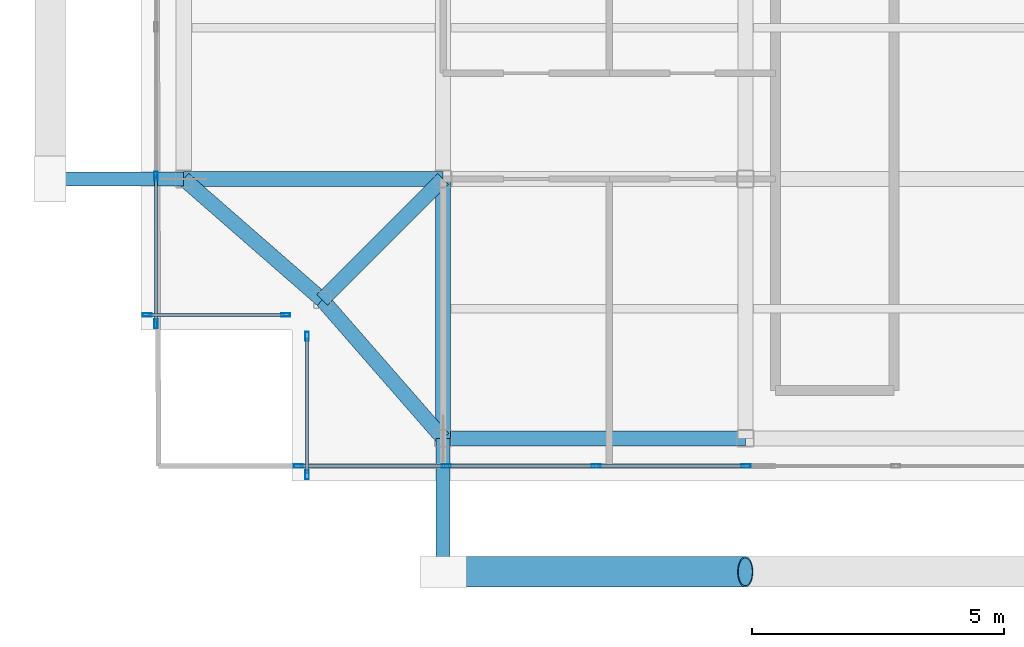
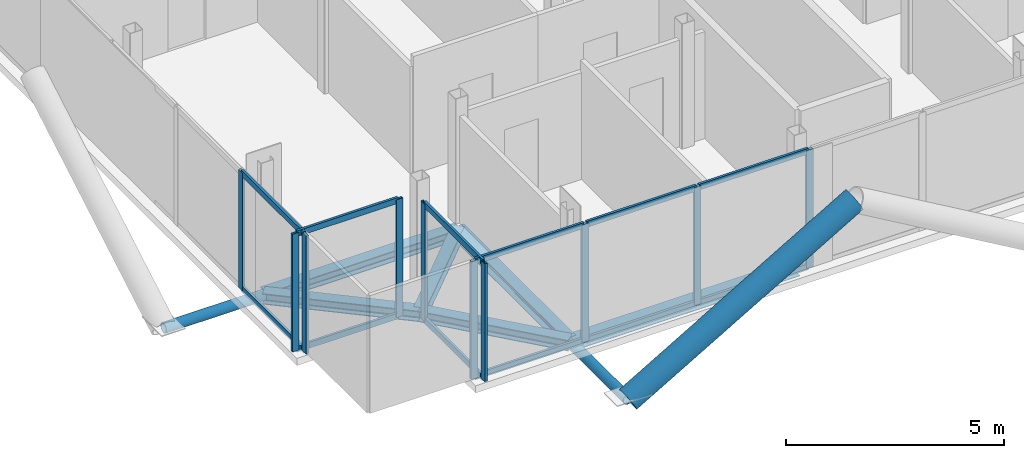
# One storey, part 2 of 19: 25 members, 6 beams, 4 elements without a shape of their own.
"""IFC4 building model written with IfcOpenShell, lengths in metres."""

from ifc_helpers import new_model, si_unit, direction, frame, origin, origin_2d, place, context, subcontext, project, spatial, hollow_rectangle, hollow_circle, i_section, extrude, material, layer, layer_set, material_profile, profile_set, type_object, element, aggregate, save


model = new_model("IFC4")

# Units and contexts
model_context = context("Model", 3, precision=1e-05, world=origin(), true_north=direction((0.0, 1.0)))
body_context = subcontext(model_context, "Body", "Model", "MODEL_VIEW")
ifc_project = project(units=[si_unit("LENGTHUNIT", "METRE"), si_unit("AREAUNIT", "SQUARE_METRE"), si_unit("VOLUMEUNIT", "CUBIC_METRE"), si_unit("PLANEANGLEUNIT", "RADIAN"), si_unit("MASSUNIT", "GRAM", prefix="KILO"), si_unit("THERMODYNAMICTEMPERATUREUNIT", "KELVIN"), si_unit("POWERUNIT", "WATT")], contexts=[model_context])

# Site, building, storey
site_placement = place(None, origin())
site = spatial("IfcSite", under=ifc_project, at=site_placement, CompositionType="ELEMENT")
building_placement = place(site_placement, origin())
building = spatial("IfcBuilding", under=site, at=building_placement, Name="Svarakhadi Broadcast Tower", CompositionType="ELEMENT")
storey_placement = place(building_placement, frame((0.0, 0.0, 257.199951171875)))
storey = spatial("IfcBuildingStorey", under=building, at=storey_placement, Name="L64", CompositionType="ELEMENT", Elevation=257.199951171875)

# Curtain wall, members
ifc_material_1 = material(Name="Anodised Bronze Aluminium AA 6063-T6", Category="aluminium")
ifc_layer = layer(ifc_material_1, 0.179931640625)
ifc_layer_set = layer_set([ifc_layer], Name="Anodised Bronze Aluminium AA 6063-T6")
curtain_wall_type = type_object("IfcCurtainWallType", Name="CW_Sys_05", PredefinedType="NOTDEFINED", material=ifc_layer_set)
curtain_wall_1_placement = place(storey_placement, origin())
curtain_wall_1 = element("IfcCurtainWall", 1, at=curtain_wall_1_placement, inside=storey, type_object=curtain_wall_type, Name="L64 Unitised Facade Curtain Wall 01", PredefinedType="NOTDEFINED")
ifc_material_profile_1 = material_profile(ifc_material_1, hollow_rectangle(XDim=0.070068359375, YDim=0.179931640625, WallThickness=0.005615234375, at=origin_2d()), Name="ALU MULLION 180x70x6")
ifc_profile_set_1 = profile_set([ifc_material_profile_1], Name="Anodised Bronze Aluminium AA 6063-T6")
member_type_1 = type_object("IfcMemberType", Name="CW_Sys_05_Mul", PredefinedType="MULLION", material=ifc_profile_set_1)
member_1_placement = place(storey_placement, frame((2.875, 3.300048828125, 0.0), z_axis=(0.0, 0.0, 1.0), x_axis=(0.0, -1.0, 0.0)))
member_1 = element("IfcMember", 2, at=member_1_placement, type_object=member_type_1, Name="CW-05 mullion 1", PredefinedType="MULLION", context=body_context, shape_type="SweptSolid", body=[
    extrude(hollow_rectangle(XDim=0.070068359375, YDim=0.179931640625, WallThickness=0.005615234375, at=origin_2d()), origin(), (0.0, 0.0, 1.0), 3.300048828125),
])
member_2_placement = place(storey_placement, frame((0.125, 3.300048828125, 0.0), z_axis=(0.0, 0.0, 1.0), x_axis=(0.0, -1.0, 0.0)))
member_2 = element("IfcMember", 3, at=member_2_placement, type_object=member_type_1, Name="CW-05 mullion 2", PredefinedType="MULLION", context=body_context, shape_type="SweptSolid", body=[
    extrude(hollow_rectangle(XDim=0.070068359375, YDim=0.179931640625, WallThickness=0.005615234375, at=origin_2d()), origin(), (0.0, 0.0, 1.0), 3.300048828125),
])

curtain_wall_2_placement = place(storey_placement, origin())
curtain_wall_2 = element("IfcCurtainWall", 4, at=curtain_wall_2_placement, inside=storey, type_object=curtain_wall_type, Name="L64 West Curtain Wall 02", PredefinedType="NOTDEFINED")
member_3_placement = place(storey_placement, frame((0.300048828125, 3.125, 0.0), z_axis=(0.0, 0.0, 1.0), x_axis=(-1.0, 0.0, 0.0)))
member_3 = element("IfcMember", 5, at=member_3_placement, type_object=member_type_1, Name="CW-05 mullion 1", PredefinedType="MULLION", context=body_context, shape_type="SweptSolid", body=[
    extrude(hollow_rectangle(XDim=0.070068359375, YDim=0.179931640625, WallThickness=0.005615234375, at=origin_2d()), origin(), (0.0, 0.0, 1.0), 3.300048828125),
])
member_4_placement = place(storey_placement, frame((0.300048828125, 6.053955078125, 0.0), z_axis=(0.0, 0.0, 1.0), x_axis=(-1.0, 0.0, 0.0)))
member_4 = element("IfcMember", 6, at=member_4_placement, type_object=member_type_1, Name="CW-05 mullion 2", PredefinedType="MULLION", context=body_context, shape_type="SweptSolid", body=[
    extrude(hollow_rectangle(XDim=0.070068359375, YDim=0.179931640625, WallThickness=0.005615234375, at=origin_2d()), origin(), (0.0, 0.0, 1.0), 3.300048828125),
])

curtain_wall_3_placement = place(storey_placement, origin())
curtain_wall_3 = element("IfcCurtainWall", 7, at=curtain_wall_3_placement, inside=storey, type_object=curtain_wall_type, Name="L64 South Curtain Wall 15", PredefinedType="NOTDEFINED")
member_5_placement = place(storey_placement, frame((12.012939453125, 0.300048828125, 0.0), z_axis=(0.0, 0.0, 1.0), x_axis=(0.0, -1.0, 0.0)))
member_5 = element("IfcMember", 8, at=member_5_placement, type_object=member_type_1, Name="CW-05 mullion 5", PredefinedType="MULLION", context=body_context, shape_type="SweptSolid", body=[
    extrude(hollow_rectangle(XDim=0.070068359375, YDim=0.179931640625, WallThickness=0.005615234375, at=origin_2d()), origin(), (0.0, 0.0, 1.0), 3.300048828125),
])
member_6_placement = place(storey_placement, frame((9.03857421875, 0.300048828125, 0.0), z_axis=(0.0, 0.0, 1.0), x_axis=(0.0, -1.0, 0.0)))
member_6 = element("IfcMember", 9, at=member_6_placement, type_object=member_type_1, Name="CW-05 mullion 6", PredefinedType="MULLION", context=body_context, shape_type="SweptSolid", body=[
    extrude(hollow_rectangle(XDim=0.070068359375, YDim=0.179931640625, WallThickness=0.005615234375, at=origin_2d()), origin(), (0.0, 0.0, 1.0), 3.300048828125),
])
member_7_placement = place(storey_placement, frame((6.064208984375, 0.300048828125, 0.0), z_axis=(0.0, 0.0, 1.0), x_axis=(0.0, -1.0, 0.0)))
member_7 = element("IfcMember", 10, at=member_7_placement, type_object=member_type_1, Name="CW-05 mullion 7", PredefinedType="MULLION", context=body_context, shape_type="SweptSolid", body=[
    extrude(hollow_rectangle(XDim=0.070068359375, YDim=0.179931640625, WallThickness=0.005615234375, at=origin_2d()), origin(), (0.0, 0.0, 1.0), 3.300048828125),
])
member_8_placement = place(storey_placement, frame((3.125, 0.300048828125, 0.0), z_axis=(0.0, 0.0, 1.0), x_axis=(0.0, -1.0, 0.0)))
member_8 = element("IfcMember", 11, at=member_8_placement, type_object=member_type_1, Name="CW-05 mullion 8", PredefinedType="MULLION", context=body_context, shape_type="SweptSolid", body=[
    extrude(hollow_rectangle(XDim=0.070068359375, YDim=0.179931640625, WallThickness=0.005615234375, at=origin_2d()), origin(), (0.0, 0.0, 1.0), 3.300048828125),
])

curtain_wall_4_placement = place(storey_placement, origin())
curtain_wall_4 = element("IfcCurtainWall", 12, at=curtain_wall_4_placement, inside=storey, type_object=curtain_wall_type, Name="L64 Unitised Facade Curtain Wall 16", PredefinedType="NOTDEFINED")
member_9_placement = place(storey_placement, frame((3.300048828125, 0.125, 0.0), z_axis=(0.0, 0.0, 1.0), x_axis=(-1.0, 0.0, 0.0)))
member_9 = element("IfcMember", 13, at=member_9_placement, type_object=member_type_1, Name="CW-05 mullion 1", PredefinedType="MULLION", context=body_context, shape_type="SweptSolid", body=[
    extrude(hollow_rectangle(XDim=0.070068359375, YDim=0.179931640625, WallThickness=0.005615234375, at=origin_2d()), origin(), (0.0, 0.0, 1.0), 3.300048828125),
])
member_10_placement = place(storey_placement, frame((3.300048828125, 2.875, 0.0), z_axis=(0.0, 0.0, 1.0), x_axis=(-1.0, 0.0, 0.0)))
member_10 = element("IfcMember", 14, at=member_10_placement, type_object=member_type_1, Name="CW-05 mullion 2", PredefinedType="MULLION", context=body_context, shape_type="SweptSolid", body=[
    extrude(hollow_rectangle(XDim=0.070068359375, YDim=0.179931640625, WallThickness=0.005615234375, at=origin_2d()), origin(), (0.0, 0.0, 1.0), 3.300048828125),
])

# Member
ifc_material_profile_2 = material_profile(ifc_material_1, hollow_rectangle(XDim=0.06494140625, YDim=0.1650390625, WallThickness=0.0048828125, at=origin_2d()), Name="ALU TRANSOM 165x65x5")
ifc_profile_set_2 = profile_set([ifc_material_profile_2], Name="Anodised Bronze Aluminium AA 6063-T6")
member_type_2 = type_object("IfcMemberType", Name="CW_Sys_05_Trn", PredefinedType="USERDEFINED", material=ifc_profile_set_2)
member_11_placement = place(storey_placement, frame((2.840087890625, 3.300048828125, 0.032470703125), z_axis=(-1.0, 0.0, 0.0), x_axis=(0.0, -1.0, 0.0)))
member_11 = element("IfcMember", 15, at=member_11_placement, type_object=member_type_2, Name="CW-05 transom 1.1", ObjectType="TRANSOM", PredefinedType="USERDEFINED", context=body_context, shape_type="SweptSolid", body=[
    extrude(hollow_rectangle(XDim=0.06494140625, YDim=0.1650390625, WallThickness=0.0048828125, at=origin_2d()), origin(), (0.0, 0.0, 1.0), 2.68017578125),
])

member_12_placement = place(storey_placement, frame((2.840087890625, 3.300048828125, 3.267578125), z_axis=(-1.0, 0.0, 0.0), x_axis=(0.0, -1.0, 0.0)))
member_12 = element("IfcMember", 16, at=member_12_placement, type_object=member_type_2, Name="CW-05 transom 1.2", ObjectType="TRANSOM", PredefinedType="USERDEFINED", context=body_context, shape_type="SweptSolid", body=[
    extrude(hollow_rectangle(XDim=0.06494140625, YDim=0.1650390625, WallThickness=0.0048828125, at=origin_2d()), origin(), (0.0, 0.0, 1.0), 2.68017578125),
])

aggregate(curtain_wall_1, [member_1, member_2, member_11, member_12])

member_13_placement = place(storey_placement, frame((0.300048828125, 3.159912109375, 0.032470703125), z_axis=(0.0, 1.0, 0.0), x_axis=(-1.0, 0.0, 0.0)))
member_13 = element("IfcMember", 17, at=member_13_placement, type_object=member_type_2, Name="CW-05 transom 1.1", ObjectType="TRANSOM", PredefinedType="USERDEFINED", context=body_context, shape_type="SweptSolid", body=[
    extrude(hollow_rectangle(XDim=0.06494140625, YDim=0.1650390625, WallThickness=0.0048828125, at=origin_2d()), origin(), (0.0, 0.0, 1.0), 2.859130859375),
])

member_14_placement = place(storey_placement, frame((0.300048828125, 3.159912109375, 3.267578125), z_axis=(0.0, 1.0, 0.0), x_axis=(-1.0, 0.0, 0.0)))
member_14 = element("IfcMember", 18, at=member_14_placement, type_object=member_type_2, Name="CW-05 transom 1.2", ObjectType="TRANSOM", PredefinedType="USERDEFINED", context=body_context, shape_type="SweptSolid", body=[
    extrude(hollow_rectangle(XDim=0.06494140625, YDim=0.1650390625, WallThickness=0.0048828125, at=origin_2d()), origin(), (0.0, 0.0, 1.0), 2.859130859375),
])

aggregate(curtain_wall_2, [member_3, member_4, member_13, member_14])

member_15_placement = place(storey_placement, frame((11.977783203125, 0.300048828125, 0.032470703125), z_axis=(-1.0, 0.0, 0.0), x_axis=(0.0, -1.0, 0.0)))
member_15 = element("IfcMember", 19, at=member_15_placement, type_object=member_type_2, Name="CW-05 transom 5.1", ObjectType="TRANSOM", PredefinedType="USERDEFINED", context=body_context, shape_type="SweptSolid", body=[
    extrude(hollow_rectangle(XDim=0.06494140625, YDim=0.1650390625, WallThickness=0.0048828125, at=origin_2d()), origin(), (0.0, 0.0, 1.0), 2.904296875),
])

member_16_placement = place(storey_placement, frame((11.977783203125, 0.300048828125, 3.267578125), z_axis=(-1.0, 0.0, 0.0), x_axis=(0.0, -1.0, 0.0)))
member_16 = element("IfcMember", 20, at=member_16_placement, type_object=member_type_2, Name="CW-05 transom 5.2", ObjectType="TRANSOM", PredefinedType="USERDEFINED", context=body_context, shape_type="SweptSolid", body=[
    extrude(hollow_rectangle(XDim=0.06494140625, YDim=0.1650390625, WallThickness=0.0048828125, at=origin_2d()), origin(), (0.0, 0.0, 1.0), 2.904296875),
])

member_17_placement = place(storey_placement, frame((9.003662109375, 0.300048828125, 0.032470703125), z_axis=(-1.0, 0.0, 0.0), x_axis=(0.0, -1.0, 0.0)))
member_17 = element("IfcMember", 21, at=member_17_placement, type_object=member_type_2, Name="CW-05 transom 6.1", ObjectType="TRANSOM", PredefinedType="USERDEFINED", context=body_context, shape_type="SweptSolid", body=[
    extrude(hollow_rectangle(XDim=0.06494140625, YDim=0.1650390625, WallThickness=0.0048828125, at=origin_2d()), origin(), (0.0, 0.0, 1.0), 2.904296875),
])

member_18_placement = place(storey_placement, frame((9.003662109375, 0.300048828125, 3.267578125), z_axis=(-1.0, 0.0, 0.0), x_axis=(0.0, -1.0, 0.0)))
member_18 = element("IfcMember", 22, at=member_18_placement, type_object=member_type_2, Name="CW-05 transom 6.2", ObjectType="TRANSOM", PredefinedType="USERDEFINED", context=body_context, shape_type="SweptSolid", body=[
    extrude(hollow_rectangle(XDim=0.06494140625, YDim=0.1650390625, WallThickness=0.0048828125, at=origin_2d()), origin(), (0.0, 0.0, 1.0), 2.904296875),
])

member_19_placement = place(storey_placement, frame((6.029296875, 0.300048828125, 0.032470703125), z_axis=(-1.0, 0.0, 0.0), x_axis=(0.0, -1.0, 0.0)))
member_19 = element("IfcMember", 23, at=member_19_placement, type_object=member_type_2, Name="CW-05 transom 7.1", ObjectType="TRANSOM", PredefinedType="USERDEFINED", context=body_context, shape_type="SweptSolid", body=[
    extrude(hollow_rectangle(XDim=0.06494140625, YDim=0.1650390625, WallThickness=0.0048828125, at=origin_2d()), origin(), (0.0, 0.0, 1.0), 2.869384765625),
])

member_20_placement = place(storey_placement, frame((6.029296875, 0.300048828125, 3.267578125), z_axis=(-1.0, 0.0, 0.0), x_axis=(0.0, -1.0, 0.0)))
member_20 = element("IfcMember", 24, at=member_20_placement, type_object=member_type_2, Name="CW-05 transom 7.2", ObjectType="TRANSOM", PredefinedType="USERDEFINED", context=body_context, shape_type="SweptSolid", body=[
    extrude(hollow_rectangle(XDim=0.06494140625, YDim=0.1650390625, WallThickness=0.0048828125, at=origin_2d()), origin(), (0.0, 0.0, 1.0), 2.869384765625),
])

aggregate(curtain_wall_3, [member_5, member_6, member_7, member_8, member_15, member_16, member_17, member_18, member_19, member_20])

member_21_placement = place(storey_placement, frame((3.300048828125, 0.159912109375, 0.032470703125), z_axis=(0.0, 1.0, 0.0), x_axis=(-1.0, 0.0, 0.0)))
member_21 = element("IfcMember", 25, at=member_21_placement, type_object=member_type_2, Name="CW-05 transom 1.1", ObjectType="TRANSOM", PredefinedType="USERDEFINED", context=body_context, shape_type="SweptSolid", body=[
    extrude(hollow_rectangle(XDim=0.06494140625, YDim=0.1650390625, WallThickness=0.0048828125, at=origin_2d()), origin(), (0.0, 0.0, 1.0), 2.68017578125),
])

member_22_placement = place(storey_placement, frame((3.300048828125, 0.159912109375, 3.267578125), z_axis=(0.0, 1.0, 0.0), x_axis=(-1.0, 0.0, 0.0)))
member_22 = element("IfcMember", 26, at=member_22_placement, type_object=member_type_2, Name="CW-05 transom 1.2", ObjectType="TRANSOM", PredefinedType="USERDEFINED", context=body_context, shape_type="SweptSolid", body=[
    extrude(hollow_rectangle(XDim=0.06494140625, YDim=0.1650390625, WallThickness=0.0048828125, at=origin_2d()), origin(), (0.0, 0.0, 1.0), 2.68017578125),
])

aggregate(curtain_wall_4, [member_9, member_10, member_21, member_22])

# Members
ifc_material_2 = material(Name="Steel S460ML (IS 2062 E450BR)", Category="steel")
ifc_material_profile_3 = material_profile(ifc_material_2, hollow_circle(Radius=0.304931640625, WallThickness=0.030029296875, at=origin_2d()), Name="CHS 610x30")
ifc_profile_set_3 = profile_set([ifc_material_profile_3], Name="Steel S460ML (IS 2062 E450BR)")
member_type_3 = type_object("IfcMemberType", Name="Exo_Brace_CHS610", PredefinedType="BRACE", material=ifc_profile_set_3)
member_23_placement = place(storey_placement, frame((6.0, -1.800048828125, -0.33642578125), z_axis=(0.863778900898, 0.0, 0.503871025524), x_axis=(0.0, 1.0, 0.0)))
element("IfcMember", 27, at=member_23_placement, inside=storey, type_object=member_type_3, Name="L64 Exposed Bronze Exoskeleton Diagonal S01", PredefinedType="BRACE", context=body_context, shape_type="SweptSolid", body=[
    extrude(hollow_circle(Radius=0.304931640625, WallThickness=0.030029296875, at=origin_2d()), origin(), (0.0, 0.0, 1.0), 6.9462890625),
])
ifc_material_profile_4 = material_profile(ifc_material_2, hollow_circle(Radius=0.136474609375, WallThickness=0.012451171875, at=origin_2d()), Name="CHS 273x12.5")
ifc_profile_set_4 = profile_set([ifc_material_profile_4], Name="Steel S460ML (IS 2062 E450BR)")
member_type_4 = type_object("IfcMemberType", Name="Exo_Radial_Strut_Z3", PredefinedType="STRUT", material=ifc_profile_set_4)
for number, where, z_axis, x_axis, name in (
    (28, (6.0, -1.800048828125, -0.33642578125), (0.0, 1.0, 0.0), (-1.0, 0.0, 0.0), "L64 Exoskeleton Radial Tie Strut S01"),
    (29, (-1.800048828125, 6.0, -0.33642578125), (1.0, 0.0, 0.0), (0.0, 1.0, 0.0), "L64 Exoskeleton Radial Tie Strut W04"),
):
    element("IfcMember", number, at=place(storey_placement, frame(where, z_axis=z_axis, x_axis=x_axis)), inside=storey, type_object=member_type_4, Name=name, PredefinedType="STRUT", context=body_context, shape_type="SweptSolid", body=[
        extrude(hollow_circle(Radius=0.136474609375, WallThickness=0.012451171875, at=origin_2d()), origin(), (0.0, 0.0, 1.0), 2.650146484375),
    ])

# Beams
ifc_material_3 = material(Name="Steel S355J2 (IS 2062 E350C)", Category="steel")
ifc_material_profile_5 = material_profile(ifc_material_3, i_section(OverallWidth=0.300048828125, OverallDepth=0.300048828125, WebThickness=0.010986328125, FlangeThickness=0.01904296875, FilletRadius=0.027099609375, at=origin_2d()), Name="WPB 300x300x117")
ifc_profile_set_5 = profile_set([ifc_material_profile_5], Name="Steel S355J2 (IS 2062 E350C)")
beam_type = type_object("IfcBeamType", Name="Girder_WPB300", PredefinedType="USERDEFINED", material=ifc_profile_set_5)
beam_1_placement = place(storey_placement, frame((3.60009765625, 3.60009765625, -0.349853515625), z_axis=(0.707106781187, 0.707106781187, 0.0), x_axis=(-0.707106781187, 0.707106781187, 0.0)))
element("IfcBeam", 30, at=beam_1_placement, inside=storey, type_object=beam_type, Name="L64 Corner Tie Girder G001", ObjectType="GIRDER", PredefinedType="USERDEFINED", context=body_context, shape_type="SweptSolid", body=[
    extrude(i_section(OverallWidth=0.300048828125, OverallDepth=0.300048828125, WebThickness=0.010986328125, FlangeThickness=0.01904296875, FilletRadius=0.027099609375, at=origin_2d()), origin(), (0.0, 0.0, 1.0), 3.39404296875),
])
for number, where, z_axis, x_axis, name in (
    (31, (3.60009765625, 3.60009765625, -0.349853515625), (-0.753437912176, 0.657519058655, 0.0), (-0.657519058655, -0.753437912176, 0.0), "L64 Corner Tie Girder G002"),
    (32, (3.60009765625, 3.60009765625, -0.349853515625), (0.657519058655, -0.753437912176, 0.0), (0.753437912176, 0.657519058655, 0.0), "L64 Corner Tie Girder G003"),
):
    element("IfcBeam", number, at=place(storey_placement, frame(where, z_axis=z_axis, x_axis=x_axis)), inside=storey, type_object=beam_type, Name=name, ObjectType="GIRDER", PredefinedType="USERDEFINED", context=body_context, shape_type="SweptSolid", body=[
        extrude(i_section(OverallWidth=0.300048828125, OverallDepth=0.300048828125, WebThickness=0.010986328125, FlangeThickness=0.01904296875, FilletRadius=0.027099609375, at=origin_2d()), origin(), (0.0, 0.0, 1.0), 3.64990234375),
    ])
beam_2_placement = place(storey_placement, frame((6.0, 0.85009765625, -0.349853515625), z_axis=(1.0, 0.0, 0.0), x_axis=(0.0, 1.0, 0.0)))
element("IfcBeam", 33, at=beam_2_placement, inside=storey, type_object=beam_type, Name="L64 Primary E-W Girder G004", ObjectType="GIRDER", PredefinedType="USERDEFINED", context=body_context, shape_type="SweptSolid", body=[
    extrude(i_section(OverallWidth=0.300048828125, OverallDepth=0.300048828125, WebThickness=0.010986328125, FlangeThickness=0.01904296875, FilletRadius=0.027099609375, at=origin_2d()), origin(), (0.0, 0.0, 1.0), 6.0),
])
for number, where, z_axis, x_axis, name in (
    (34, (0.85009765625, 6.0, -0.349853515625), (1.0, 0.0, 0.0), (0.0, 1.0, 0.0), "L64 Primary E-W Girder G008"),
    (35, (6.0, 0.85009765625, -0.349853515625), (0.0, 1.0, 0.0), (-1.0, 0.0, 0.0), "L64 Primary N-S Girder G029"),
):
    element("IfcBeam", number, at=place(storey_placement, frame(where, z_axis=z_axis, x_axis=x_axis)), inside=storey, type_object=beam_type, Name=name, ObjectType="GIRDER", PredefinedType="USERDEFINED", context=body_context, shape_type="SweptSolid", body=[
        extrude(i_section(OverallWidth=0.300048828125, OverallDepth=0.300048828125, WebThickness=0.010986328125, FlangeThickness=0.01904296875, FilletRadius=0.027099609375, at=origin_2d()), origin(), (0.0, 0.0, 1.0), 5.14990234375),
    ])

save(model, "model.ifc")
